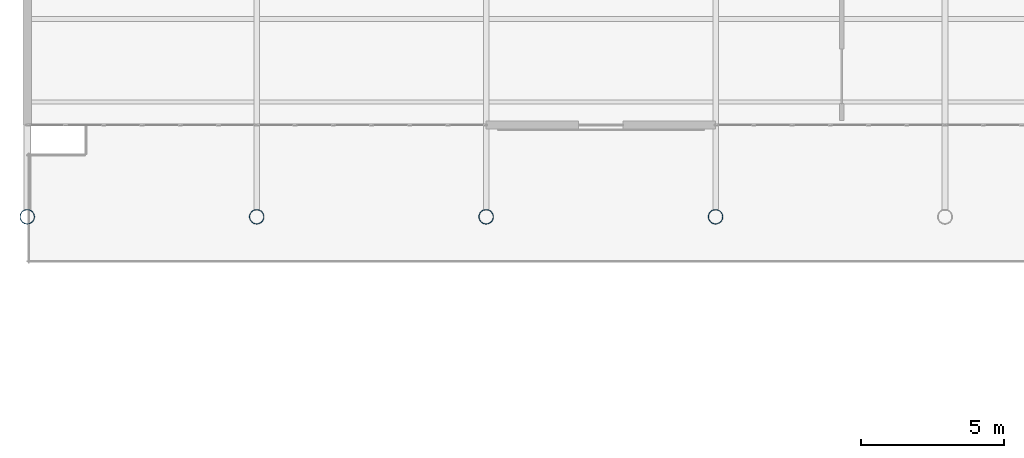
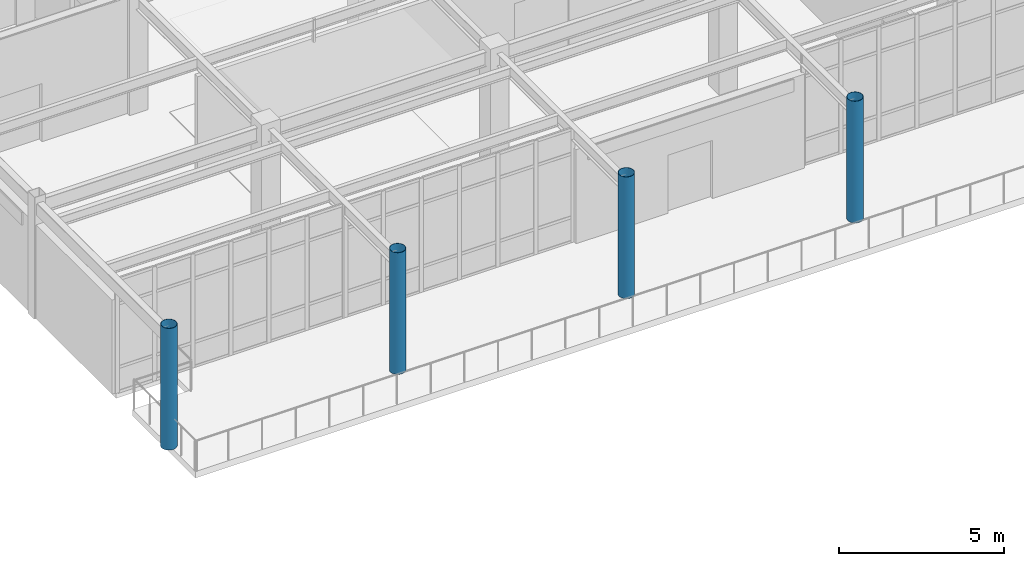
# One storey, part 7 of 75: 4 columns.
"""IFC4 building model written with IfcOpenShell, lengths in metres."""

from ifc_helpers import new_model, si_unit, direction, frame, origin, origin_2d, place, context, subcontext, project, spatial, hollow_circle, extrude, material, material_profile, profile_set, type_object, element, save


model = new_model("IFC4")

# Units and contexts
model_context = context("Model", 3, precision=1e-05, world=origin(), true_north=direction((0.0, 1.0)))
body_context = subcontext(model_context, "Body", "Model", "MODEL_VIEW")
ifc_project = project(units=[si_unit("LENGTHUNIT", "METRE"), si_unit("AREAUNIT", "SQUARE_METRE"), si_unit("VOLUMEUNIT", "CUBIC_METRE"), si_unit("PLANEANGLEUNIT", "RADIAN"), si_unit("MASSUNIT", "GRAM", prefix="KILO")], contexts=[model_context])

# Site, building, storey
site_placement = place(None, origin())
site = spatial("IfcSite", under=ifc_project, at=site_placement, CompositionType="ELEMENT")
building_placement = place(site_placement, origin())
building = spatial("IfcBuilding", under=site, at=building_placement, Name="Solmirada Galleria", CompositionType="ELEMENT")
storey_placement = place(building_placement, frame((0.0, 0.0, 19.39990234375)))
storey = spatial("IfcBuildingStorey", under=building, at=storey_placement, Name="L04", CompositionType="ELEMENT", Elevation=19.39990234375)

# Columns
ifc_material = material(Name="Steel S355 / ASTM A500 Grade C", Category="steel")
ifc_material_profile = material_profile(ifc_material, hollow_circle(Radius=0.25390625, WallThickness=0.01171875, at=origin_2d()), Name="HSS20.000X0.500")
ifc_profile_set = profile_set([ifc_material_profile], Name="Steel S355 / ASTM A500 Grade C")
column_type = type_object("IfcColumnType", Name="COL-CHS20", PredefinedType="COLUMN", material=ifc_profile_set)
for number, where, z_axis, x_axis, name in (
    (1, (40.0, 88.0, 0.0), (0.0, 0.0, 1.0), (1.0, 0.0, 0.0), "Structural column L04-0050"),
    (2, (48.0, 88.0, 0.0), (0.0, 0.0, 1.0), (1.0, 0.0, 0.0), "Structural column L04-0117"),
    (3, (56.0, 88.0, 0.0), (0.0, 0.0, 1.0), (1.0, 0.0, 0.0), "Structural column L04-0184"),
    (4, (64.0, 88.0, 0.0), (0.0, 0.0, 1.0), (1.0, 0.0, 0.0), "Structural column L04-0248"),
):
    element("IfcColumn", number, at=place(storey_placement, frame(where, z_axis=z_axis, x_axis=x_axis)), inside=storey, type_object=column_type, Name=name, PredefinedType="COLUMN", context=body_context, shape_type="SweptSolid", body=[
        extrude(hollow_circle(Radius=0.25390625, WallThickness=0.01171875, at=origin_2d()), origin(), (0.0, 0.0, 1.0), 4.5),
    ])

save(model, "model.ifc")
